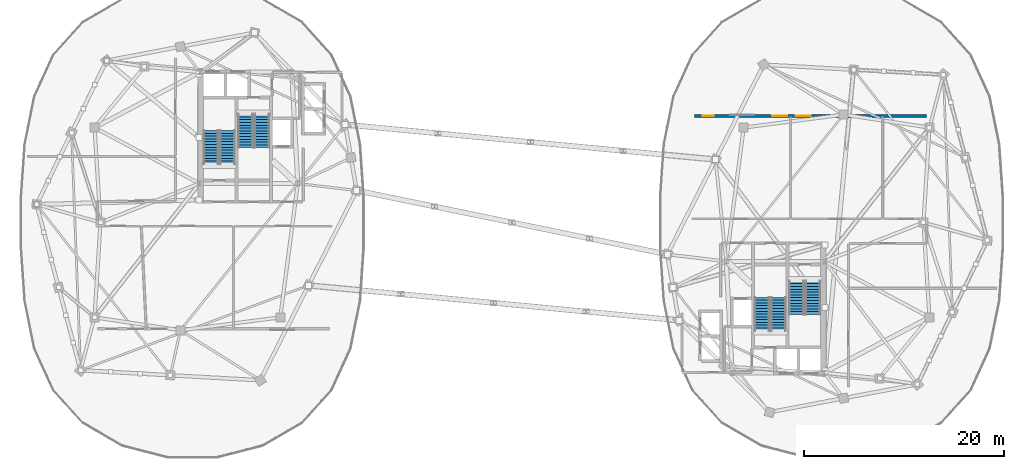
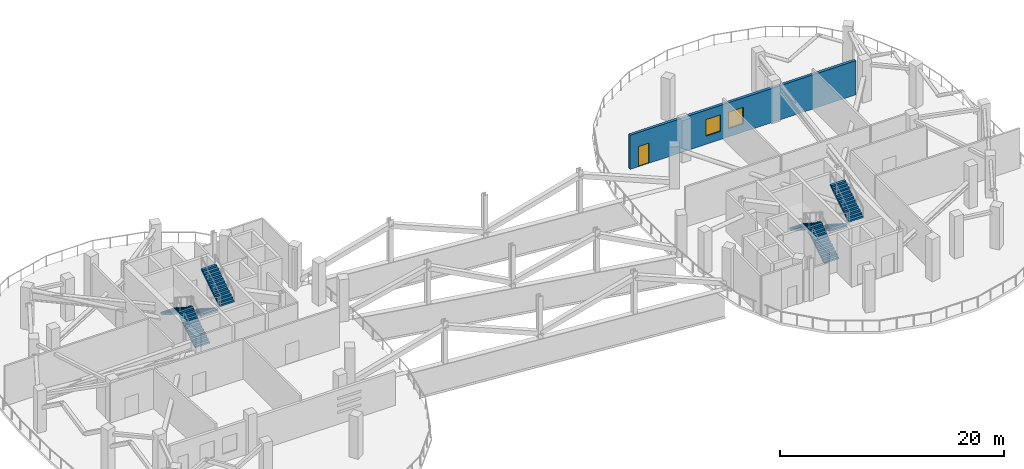
# One storey, part 10 of 16: 8 stair flights, 2 windows, 1 door, 1 wall, 3 openings, 4 elements without a shape of their own.
"""IFC4 building model written with IfcOpenShell, lengths in metres."""

from ifc_helpers import new_model, si_unit, direction, frame, frame_2d, origin, place, context, subcontext, project, spatial, polyline, rectangle, outline, extrude, material, layer, layer_set, type_object, element, fill, aggregate, save


model = new_model("IFC4")

# Units and contexts
model_context = context("Model", 3, precision=1e-05, world=origin(), true_north=direction((0.0, 1.0)))
body_context = subcontext(model_context, "Body", "Model", "MODEL_VIEW")
ifc_project = project(units=[si_unit("LENGTHUNIT", "METRE"), si_unit("AREAUNIT", "SQUARE_METRE"), si_unit("VOLUMEUNIT", "CUBIC_METRE"), si_unit("PLANEANGLEUNIT", "RADIAN"), si_unit("MASSUNIT", "GRAM", prefix="KILO"), si_unit("THERMODYNAMICTEMPERATUREUNIT", "KELVIN"), si_unit("POWERUNIT", "WATT")], contexts=[model_context])

# Site, building, storey
site_placement = place(None, origin())
site = spatial("IfcSite", under=ifc_project, at=site_placement, CompositionType="ELEMENT")
building_placement = place(site_placement, origin())
building = spatial("IfcBuilding", under=site, at=building_placement, Name="Cundina Bronze Exchange", CompositionType="ELEMENT")
storey_placement = place(building_placement, frame((0.0, 0.0, 235.0)))
storey = spatial("IfcBuildingStorey", under=building, at=storey_placement, Name="L62", CompositionType="ELEMENT", Elevation=235.0)

# Wall, openings, door, windows
ifc_material_1 = material(Name="Precast Concrete C45/55", Category="concrete")
ifc_layer = layer(ifc_material_1, 0.280029296875, Name="Precast Concrete C45/55", Category="concrete")
ifc_layer_set = layer_set([ifc_layer], Name="Precast Concrete C45/55")
wall_type = type_object("IfcWallType", Name="WL-EXT-280", PredefinedType="SOLIDWALL", material=ifc_layer_set)
wall_placement = place(storey_placement, frame((18.25, 10.64990234375, 0.0), z_axis=(0.0, 0.0, 1.0), x_axis=(1.0, 0.0, 0.0)))
wall = element("IfcWall", 1, at=wall_placement, inside=storey, type_object=wall_type, Name="L62 Leg E Refuge Veranda Weather Wall", PredefinedType="SOLIDWALL", context=body_context, shape_type="SweptSolid", body=[
    extrude(rectangle(XDim=23.25, YDim=0.280029296875, at=frame_2d((11.625, 0.0))), origin(), (0.0, 0.0, 1.0), 3.72412109375),
])
opening_1_placement = place(wall_placement, frame((0.85009765625, 0.0, 0.0)))
opening_1 = element("IfcOpeningElement", 2, at=opening_1_placement, cuts=wall, Name="Opening DT-01", PredefinedType="OPENING", context=body_context, shape_type="SweptSolid", body=[
    extrude(rectangle(XDim=1.10009765625, YDim=2.199951171875, at=frame_2d((0.550048828125, 1.10009765625))), frame((0.0, 0.14990234375, 0.0), z_axis=(0.0, -1.0, 0.0), x_axis=(1.0, 0.0, 0.0)), (0.0, 0.0, 1.0), 0.300048828125),
])
opening_2_placement = place(wall_placement, frame((7.800048828125, 0.0, 0.89990234375)))
opening_2 = element("IfcOpeningElement", 3, at=opening_2_placement, cuts=wall, Name="Opening W-03", PredefinedType="OPENING", context=body_context, shape_type="SweptSolid", body=[
    extrude(rectangle(XDim=1.5, YDim=1.800048828125, at=frame_2d((0.75, 0.89990234375))), frame((0.0, 0.14990234375, 0.0), z_axis=(0.0, -1.0, 0.0), x_axis=(1.0, 0.0, 0.0)), (0.0, 0.0, 1.0), 0.300048828125),
])
opening_3_placement = place(wall_placement, frame((10.14990234375, 0.0, 0.89990234375)))
opening_3 = element("IfcOpeningElement", 4, at=opening_3_placement, cuts=wall, Name="Opening W-03", PredefinedType="OPENING", context=body_context, shape_type="SweptSolid", body=[
    extrude(rectangle(XDim=1.5, YDim=1.800048828125, at=frame_2d((0.75, 0.89990234375))), frame((0.0, 0.14990234375, 0.0), z_axis=(0.0, -1.0, 0.0), x_axis=(1.0, 0.0, 0.0)), (0.0, 0.0, 1.0), 0.300048828125),
])
ifc_material_2 = material(Name="Anodised Bronze Aluminium 6063-T6", Category="aluminium")
door_type = type_object("IfcDoorType", Name="DR-TER-1100", OperationType="NOTDEFINED", PredefinedType="DOOR", material=ifc_material_2)
door_placement = place(opening_1_placement, origin())
door = element("IfcDoor", 5, at=door_placement, inside=storey, type_object=door_type, Name="L62 Leg E Open Refuge Veranda Door", OperationType="SINGLE_SWING_RIGHT", OverallHeight=2.199951171875, OverallWidth=1.10009765625, PredefinedType="DOOR", context=body_context, shape_type="SweptSolid", body=[
    extrude(rectangle(XDim=1.10009765625, YDim=2.199951171875, at=frame_2d((0.550048828125, 1.10009765625))), frame((0.0, 0.02490234375, 0.0), z_axis=(0.0, -1.0, 0.0), x_axis=(1.0, 0.0, 0.0)), (0.0, 0.0, 1.0), 0.050048828125),
])
fill(opening_1, door)
ifc_material_3 = material(Name="Heat-Strengthened Solar-Control Bronze Safety Glass 28mm", Category="glass")
window_type = type_object("IfcWindowType", Name="WN-REF-1500", PartitioningType="SINGLE_PANEL", PredefinedType="WINDOW", material=ifc_material_3)
window_1_placement = place(opening_2_placement, origin())
window_1 = element("IfcWindow", 6, at=window_1_placement, inside=storey, type_object=window_type, Name="L62 Leg E Refuge Plant Window 1", OverallHeight=1.800048828125, OverallWidth=1.5, PartitioningType="SINGLE_PANEL", PredefinedType="WINDOW", context=body_context, shape_type="SweptSolid", body=[
    extrude(rectangle(XDim=1.5, YDim=1.800048828125, at=frame_2d((0.75, 0.89990234375))), frame((0.0, 0.030029296875, 0.0), z_axis=(0.0, -1.0, 0.0), x_axis=(1.0, 0.0, 0.0)), (0.0, 0.0, 1.0), 0.06005859375),
])
fill(opening_2, window_1)
window_2_placement = place(opening_3_placement, origin())
window_2 = element("IfcWindow", 7, at=window_2_placement, inside=storey, type_object=window_type, Name="L62 Leg E Refuge Plant Window 2", OverallHeight=1.800048828125, OverallWidth=1.5, PartitioningType="SINGLE_PANEL", PredefinedType="WINDOW", context=body_context, shape_type="SweptSolid", body=[
    extrude(rectangle(XDim=1.5, YDim=1.800048828125, at=frame_2d((0.75, 0.89990234375))), frame((0.0, 0.030029296875, 0.0), z_axis=(0.0, -1.0, 0.0), x_axis=(1.0, 0.0, 0.0)), (0.0, 0.0, 1.0), 0.06005859375),
])
fill(opening_3, window_2)

# Stair, stair flights
ifc_material_4 = material(Name="Concrete C40/50", Category="concrete")
stair_type = type_object("IfcStairType", Name="STR-REF-460", PredefinedType="HALF_TURN_STAIR", material=ifc_material_4)
stair_1_placement = place(storey_placement, origin())
stair_1 = element("IfcStair", 8, at=stair_1_placement, inside=storey, type_object=stair_type, Name="L62 Smokeproof Exit Stair W1", PredefinedType="HALF_TURN_STAIR")
stair_flight_type = type_object("IfcStairFlightType", Name="FLG-REF-230", PredefinedType="STRAIGHT", material=ifc_material_4)
stair_flight_1_placement = place(storey_placement, frame((-28.489990234375, 5.85009765625, 0.0), z_axis=(0.0, 0.0, 1.0), x_axis=(0.0, 1.0, 0.0)))
stair_flight_1 = element("IfcStairFlight", 9, at=stair_flight_1_placement, type_object=stair_flight_type, Name="ST-W1 flight 1", NumberOfRisers=13, NumberOfTreads=12, PredefinedType="STRAIGHT", RiserHeight=0.176923077, TreadLength=0.28, context=body_context, shape_type="SweptSolid", body=[
    extrude(outline(polyline([(0.0, 0.0), (0.0, 0.177001953125), (0.280029296875, 0.177001953125), (0.280029296875, 0.353759765625), (0.56005859375, 0.353759765625), (0.56005859375, 0.53076171875), (0.840087890625, 0.53076171875), (0.840087890625, 0.707763671875), (1.1201171875, 0.707763671875), (1.1201171875, 0.884521484375), (1.39990234375, 0.884521484375), (1.39990234375, 1.0615234375), (1.679931640625, 1.0615234375), (1.679931640625, 1.238525390625), (1.9599609375, 1.238525390625), (1.9599609375, 1.415283203125), (2.239990234375, 1.415283203125), (2.239990234375, 1.59228515625), (2.52001953125, 1.59228515625), (2.52001953125, 1.769287109375), (2.800048828125, 1.769287109375), (2.800048828125, 1.946044921875), (3.080078125, 1.946044921875), (3.080078125, 2.123046875), (3.360107421875, 2.123046875), (3.360107421875, 2.300048828125), (3.360107421875, 1.94580078125), (0.280517578125, 0.0), (0.0, 0.0)])), frame((0.0, 0.75, 0.0), z_axis=(0.0, -1.0, 0.0), x_axis=(1.0, 0.0, 0.0)), (0.0, 0.0, 1.0), 1.5),
])
stair_flight_2_placement = place(storey_placement, frame((-30.14990234375, 9.2099609375, 2.300048828125), z_axis=(0.0, 0.0, 1.0), x_axis=(0.0, -1.0, 0.0)))
stair_flight_2 = element("IfcStairFlight", 10, at=stair_flight_2_placement, type_object=stair_flight_type, Name="ST-W1 flight 2", NumberOfRisers=13, NumberOfTreads=12, PredefinedType="STRAIGHT", RiserHeight=0.176923077, TreadLength=0.28, context=body_context, shape_type="SweptSolid", body=[
    extrude(outline(polyline([(0.0, 0.0), (0.0, 0.177001953125), (0.280029296875, 0.177001953125), (0.280029296875, 0.353759765625), (0.56005859375, 0.353759765625), (0.56005859375, 0.53076171875), (0.840087890625, 0.53076171875), (0.840087890625, 0.707763671875), (1.1201171875, 0.707763671875), (1.1201171875, 0.884521484375), (1.39990234375, 0.884521484375), (1.39990234375, 1.0615234375), (1.679931640625, 1.0615234375), (1.679931640625, 1.238525390625), (1.9599609375, 1.238525390625), (1.9599609375, 1.415283203125), (2.239990234375, 1.415283203125), (2.239990234375, 1.59228515625), (2.52001953125, 1.59228515625), (2.52001953125, 1.769287109375), (2.800048828125, 1.769287109375), (2.800048828125, 1.946044921875), (3.080078125, 1.946044921875), (3.080078125, 2.123046875), (3.360107421875, 2.123046875), (3.360107421875, 2.300048828125), (3.360107421875, 1.94580078125), (0.280517578125, 0.0), (0.0, 0.0)])), frame((0.0, 0.75, 0.0), z_axis=(0.0, -1.0, 0.0), x_axis=(1.0, 0.0, 0.0)), (0.0, 0.0, 1.0), 1.5),
])
aggregate(stair_1, [stair_flight_1, stair_flight_2])

stair_2_placement = place(storey_placement, origin())
stair_2 = element("IfcStair", 11, at=stair_2_placement, inside=storey, type_object=stair_type, Name="L62 Smokeproof Exit Stair W2", PredefinedType="HALF_TURN_STAIR")
stair_flight_3_placement = place(storey_placement, frame((-26.68994140625, 10.85009765625, 0.0), z_axis=(0.0, 0.0, 1.0), x_axis=(0.0, -1.0, 0.0)))
stair_flight_3 = element("IfcStairFlight", 12, at=stair_flight_3_placement, type_object=stair_flight_type, Name="ST-W2 flight 1", NumberOfRisers=13, NumberOfTreads=12, PredefinedType="STRAIGHT", RiserHeight=0.176923077, TreadLength=0.28, context=body_context, shape_type="SweptSolid", body=[
    extrude(outline(polyline([(0.0, 0.0), (0.0, 0.177001953125), (0.280029296875, 0.177001953125), (0.280029296875, 0.353759765625), (0.56005859375, 0.353759765625), (0.56005859375, 0.53076171875), (0.840087890625, 0.53076171875), (0.840087890625, 0.707763671875), (1.1201171875, 0.707763671875), (1.1201171875, 0.884521484375), (1.39990234375, 0.884521484375), (1.39990234375, 1.0615234375), (1.679931640625, 1.0615234375), (1.679931640625, 1.238525390625), (1.9599609375, 1.238525390625), (1.9599609375, 1.415283203125), (2.239990234375, 1.415283203125), (2.239990234375, 1.59228515625), (2.52001953125, 1.59228515625), (2.52001953125, 1.769287109375), (2.800048828125, 1.769287109375), (2.800048828125, 1.946044921875), (3.080078125, 1.946044921875), (3.080078125, 2.123046875), (3.360107421875, 2.123046875), (3.360107421875, 2.300048828125), (3.360107421875, 1.94580078125), (0.280517578125, 0.0), (0.0, 0.0)])), frame((0.0, 0.75, 0.0), z_axis=(0.0, -1.0, 0.0), x_axis=(1.0, 0.0, 0.0)), (0.0, 0.0, 1.0), 1.5),
])
stair_flight_4_placement = place(storey_placement, frame((-25.030029296875, 7.489990234375, 2.300048828125), z_axis=(0.0, 0.0, 1.0), x_axis=(0.0, 1.0, 0.0)))
stair_flight_4 = element("IfcStairFlight", 13, at=stair_flight_4_placement, type_object=stair_flight_type, Name="ST-W2 flight 2", NumberOfRisers=13, NumberOfTreads=12, PredefinedType="STRAIGHT", RiserHeight=0.176923077, TreadLength=0.28, context=body_context, shape_type="SweptSolid", body=[
    extrude(outline(polyline([(0.0, 0.0), (0.0, 0.177001953125), (0.280029296875, 0.177001953125), (0.280029296875, 0.353759765625), (0.56005859375, 0.353759765625), (0.56005859375, 0.53076171875), (0.840087890625, 0.53076171875), (0.840087890625, 0.707763671875), (1.1201171875, 0.707763671875), (1.1201171875, 0.884521484375), (1.39990234375, 0.884521484375), (1.39990234375, 1.0615234375), (1.679931640625, 1.0615234375), (1.679931640625, 1.238525390625), (1.9599609375, 1.238525390625), (1.9599609375, 1.415283203125), (2.239990234375, 1.415283203125), (2.239990234375, 1.59228515625), (2.52001953125, 1.59228515625), (2.52001953125, 1.769287109375), (2.800048828125, 1.769287109375), (2.800048828125, 1.946044921875), (3.080078125, 1.946044921875), (3.080078125, 2.123046875), (3.360107421875, 2.123046875), (3.360107421875, 2.300048828125), (3.360107421875, 1.94580078125), (0.280517578125, 0.0), (0.0, 0.0)])), frame((0.0, 0.75, 0.0), z_axis=(0.0, -1.0, 0.0), x_axis=(1.0, 0.0, 0.0)), (0.0, 0.0, 1.0), 1.5),
])
aggregate(stair_2, [stair_flight_3, stair_flight_4])

stair_3_placement = place(storey_placement, origin())
stair_3 = element("IfcStair", 14, at=stair_3_placement, inside=storey, type_object=stair_type, Name="L62 Smokeproof Exit Stair E1", PredefinedType="HALF_TURN_STAIR")
stair_flight_5_placement = place(storey_placement, frame((28.489990234375, -5.85009765625, 0.0), z_axis=(0.0, 0.0, 1.0), x_axis=(0.0, -1.0, 0.0)))
stair_flight_5 = element("IfcStairFlight", 15, at=stair_flight_5_placement, type_object=stair_flight_type, Name="ST-E1 flight 1", NumberOfRisers=13, NumberOfTreads=12, PredefinedType="STRAIGHT", RiserHeight=0.176923077, TreadLength=0.28, context=body_context, shape_type="SweptSolid", body=[
    extrude(outline(polyline([(0.0, 0.0), (0.0, 0.177001953125), (0.280029296875, 0.177001953125), (0.280029296875, 0.353759765625), (0.56005859375, 0.353759765625), (0.56005859375, 0.53076171875), (0.840087890625, 0.53076171875), (0.840087890625, 0.707763671875), (1.1201171875, 0.707763671875), (1.1201171875, 0.884521484375), (1.39990234375, 0.884521484375), (1.39990234375, 1.0615234375), (1.679931640625, 1.0615234375), (1.679931640625, 1.238525390625), (1.9599609375, 1.238525390625), (1.9599609375, 1.415283203125), (2.239990234375, 1.415283203125), (2.239990234375, 1.59228515625), (2.52001953125, 1.59228515625), (2.52001953125, 1.769287109375), (2.800048828125, 1.769287109375), (2.800048828125, 1.946044921875), (3.080078125, 1.946044921875), (3.080078125, 2.123046875), (3.360107421875, 2.123046875), (3.360107421875, 2.300048828125), (3.360107421875, 1.94580078125), (0.280517578125, 0.0), (0.0, 0.0)])), frame((0.0, 0.75, 0.0), z_axis=(0.0, -1.0, 0.0), x_axis=(1.0, 0.0, 0.0)), (0.0, 0.0, 1.0), 1.5),
])
stair_flight_6_placement = place(storey_placement, frame((30.14990234375, -9.2099609375, 2.300048828125), z_axis=(0.0, 0.0, 1.0), x_axis=(0.0, 1.0, 0.0)))
stair_flight_6 = element("IfcStairFlight", 16, at=stair_flight_6_placement, type_object=stair_flight_type, Name="ST-E1 flight 2", NumberOfRisers=13, NumberOfTreads=12, PredefinedType="STRAIGHT", RiserHeight=0.176923077, TreadLength=0.28, context=body_context, shape_type="SweptSolid", body=[
    extrude(outline(polyline([(0.0, 0.0), (0.0, 0.177001953125), (0.280029296875, 0.177001953125), (0.280029296875, 0.353759765625), (0.56005859375, 0.353759765625), (0.56005859375, 0.53076171875), (0.840087890625, 0.53076171875), (0.840087890625, 0.707763671875), (1.1201171875, 0.707763671875), (1.1201171875, 0.884521484375), (1.39990234375, 0.884521484375), (1.39990234375, 1.0615234375), (1.679931640625, 1.0615234375), (1.679931640625, 1.238525390625), (1.9599609375, 1.238525390625), (1.9599609375, 1.415283203125), (2.239990234375, 1.415283203125), (2.239990234375, 1.59228515625), (2.52001953125, 1.59228515625), (2.52001953125, 1.769287109375), (2.800048828125, 1.769287109375), (2.800048828125, 1.946044921875), (3.080078125, 1.946044921875), (3.080078125, 2.123046875), (3.360107421875, 2.123046875), (3.360107421875, 2.300048828125), (3.360107421875, 1.94580078125), (0.280517578125, 0.0), (0.0, 0.0)])), frame((0.0, 0.75, 0.0), z_axis=(0.0, -1.0, 0.0), x_axis=(1.0, 0.0, 0.0)), (0.0, 0.0, 1.0), 1.5),
])
aggregate(stair_3, [stair_flight_5, stair_flight_6])

stair_4_placement = place(storey_placement, origin())
stair_4 = element("IfcStair", 17, at=stair_4_placement, inside=storey, type_object=stair_type, Name="L62 Smokeproof Exit Stair E2", PredefinedType="HALF_TURN_STAIR")
stair_flight_7_placement = place(storey_placement, frame((26.68994140625, -10.85009765625, 0.0), z_axis=(0.0, 0.0, 1.0), x_axis=(0.0, 1.0, 0.0)))
stair_flight_7 = element("IfcStairFlight", 18, at=stair_flight_7_placement, type_object=stair_flight_type, Name="ST-E2 flight 1", NumberOfRisers=13, NumberOfTreads=12, PredefinedType="STRAIGHT", RiserHeight=0.176923077, TreadLength=0.28, context=body_context, shape_type="SweptSolid", body=[
    extrude(outline(polyline([(0.0, 0.0), (0.0, 0.177001953125), (0.280029296875, 0.177001953125), (0.280029296875, 0.353759765625), (0.56005859375, 0.353759765625), (0.56005859375, 0.53076171875), (0.840087890625, 0.53076171875), (0.840087890625, 0.707763671875), (1.1201171875, 0.707763671875), (1.1201171875, 0.884521484375), (1.39990234375, 0.884521484375), (1.39990234375, 1.0615234375), (1.679931640625, 1.0615234375), (1.679931640625, 1.238525390625), (1.9599609375, 1.238525390625), (1.9599609375, 1.415283203125), (2.239990234375, 1.415283203125), (2.239990234375, 1.59228515625), (2.52001953125, 1.59228515625), (2.52001953125, 1.769287109375), (2.800048828125, 1.769287109375), (2.800048828125, 1.946044921875), (3.080078125, 1.946044921875), (3.080078125, 2.123046875), (3.360107421875, 2.123046875), (3.360107421875, 2.300048828125), (3.360107421875, 1.94580078125), (0.280517578125, 0.0), (0.0, 0.0)])), frame((0.0, 0.75, 0.0), z_axis=(0.0, -1.0, 0.0), x_axis=(1.0, 0.0, 0.0)), (0.0, 0.0, 1.0), 1.5),
])
stair_flight_8_placement = place(storey_placement, frame((25.030029296875, -7.489990234375, 2.300048828125), z_axis=(0.0, 0.0, 1.0), x_axis=(0.0, -1.0, 0.0)))
stair_flight_8 = element("IfcStairFlight", 19, at=stair_flight_8_placement, type_object=stair_flight_type, Name="ST-E2 flight 2", NumberOfRisers=13, NumberOfTreads=12, PredefinedType="STRAIGHT", RiserHeight=0.176923077, TreadLength=0.28, context=body_context, shape_type="SweptSolid", body=[
    extrude(outline(polyline([(0.0, 0.0), (0.0, 0.177001953125), (0.280029296875, 0.177001953125), (0.280029296875, 0.353759765625), (0.56005859375, 0.353759765625), (0.56005859375, 0.53076171875), (0.840087890625, 0.53076171875), (0.840087890625, 0.707763671875), (1.1201171875, 0.707763671875), (1.1201171875, 0.884521484375), (1.39990234375, 0.884521484375), (1.39990234375, 1.0615234375), (1.679931640625, 1.0615234375), (1.679931640625, 1.238525390625), (1.9599609375, 1.238525390625), (1.9599609375, 1.415283203125), (2.239990234375, 1.415283203125), (2.239990234375, 1.59228515625), (2.52001953125, 1.59228515625), (2.52001953125, 1.769287109375), (2.800048828125, 1.769287109375), (2.800048828125, 1.946044921875), (3.080078125, 1.946044921875), (3.080078125, 2.123046875), (3.360107421875, 2.123046875), (3.360107421875, 2.300048828125), (3.360107421875, 1.94580078125), (0.280517578125, 0.0), (0.0, 0.0)])), frame((0.0, 0.75, 0.0), z_axis=(0.0, -1.0, 0.0), x_axis=(1.0, 0.0, 0.0)), (0.0, 0.0, 1.0), 1.5),
])
aggregate(stair_4, [stair_flight_7, stair_flight_8])

save(model, "model.ifc")
